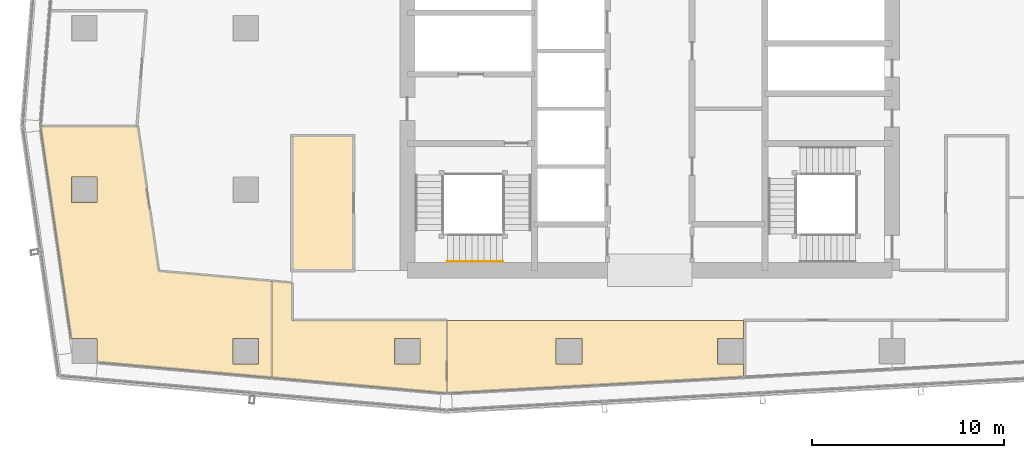
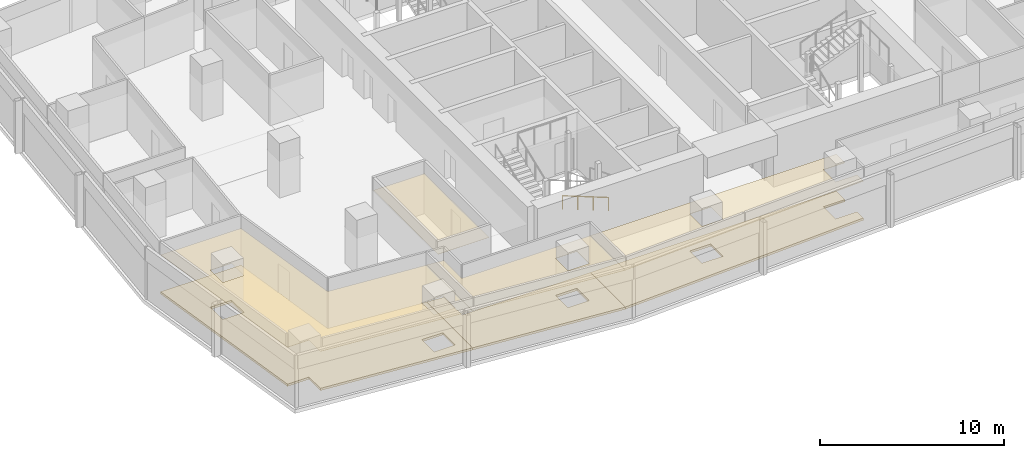
# One storey, part 26 of 29: 7 coverings, 1 railing.
"""IFC4 building model written with IfcOpenShell, lengths in metres."""

from ifc_helpers import new_model, si_unit, direction, frame, origin, origin_2d, place, context, subcontext, project, spatial, polyline, circle, outline, extrude, material, layer, layer_set, type_object, element, save


model = new_model("IFC4")

# Units and contexts
model_context = context("Model", 3, precision=1e-05, world=origin(), true_north=direction((0.0, 1.0)))
body_context = subcontext(model_context, "Body", "Model", "MODEL_VIEW")
ifc_project = project(units=[si_unit("LENGTHUNIT", "METRE"), si_unit("AREAUNIT", "SQUARE_METRE"), si_unit("VOLUMEUNIT", "CUBIC_METRE"), si_unit("PLANEANGLEUNIT", "RADIAN"), si_unit("MASSUNIT", "GRAM", prefix="KILO")], contexts=[model_context])

# Site, building, storey
site_placement = place(None, origin())
site = spatial("IfcSite", under=ifc_project, at=site_placement, CompositionType="ELEMENT")
building_placement = place(site_placement, origin())
building = spatial("IfcBuilding", under=site, at=building_placement, Name="Rekha Terrace Tower", CompositionType="ELEMENT")
storey_placement = place(building_placement, frame((0.0, 0.0, 257.60009765625)))
storey = spatial("IfcBuildingStorey", under=building, at=storey_placement, Name="L65", CompositionType="ELEMENT", Elevation=257.60009765625)

# Coverings
ifc_material_1 = material(Name="Mineral fibre tile in exposed grid", Category="finish")
ifc_layer_1 = layer(ifc_material_1, 0.02001953125)
ifc_layer_set_1 = layer_set([ifc_layer_1], Name="Mineral fibre tile in exposed grid")
covering_type_1 = type_object("IfcCoveringType", Name="CL1 600x1200 office grid ceiling", PredefinedType="CEILING", material=ifc_layer_set_1)
covering_1_placement = place(storey_placement, frame((0.0, 0.0, 2.579833984375)))
element("IfcCovering", 1, at=covering_1_placement, inside=storey, type_object=covering_type_1, Name="Ceiling L65-15", PredefinedType="CEILING", context=body_context, shape_type="SweptSolid", body=[
    extrude(outline(polyline([(6.12109375, 28.490966796875), (7.715087890625, 17.465087890625), (9.06494140625, 17.465087890625), (9.06494140625, 16.22705078125), (18.14892578125, 15.4189453125), (18.14892578125, 20.43896484375), (12.260986328125, 20.9619140625), (11.173095703125, 28.490966796875), (6.12109375, 28.490966796875)]), holes=[polyline([(17.465087890625, 17.465087890625), (17.465087890625, 16.135009765625), (16.135009765625, 16.135009765625), (16.135009765625, 17.465087890625), (17.465087890625, 17.465087890625)]), polyline([(9.06494140625, 25.864990234375), (9.06494140625, 24.534912109375), (7.735107421875, 24.534912109375), (7.735107421875, 25.864990234375), (9.06494140625, 25.864990234375)])]), origin(), (0.0, 0.0, 1.0), 0.02001953125),
])
covering_2_placement = place(storey_placement, frame((0.0, 0.0, 2.579833984375)))
element("IfcCovering", 2, at=covering_2_placement, inside=storey, type_object=covering_type_1, Name="Ceiling L65-16", PredefinedType="CEILING", context=body_context, shape_type="SweptSolid", body=[
    extrude(outline(polyline([(27.25390625, 14.610107421875), (27.25390625, 18.39990234375), (19.199951171875, 18.39990234375), (19.199951171875, 20.345947265625), (18.14990234375, 20.43896484375), (18.14990234375, 15.4189453125), (27.25390625, 14.610107421875)]), holes=[polyline([(25.864990234375, 17.465087890625), (25.864990234375, 16.135009765625), (24.534912109375, 16.135009765625), (24.534912109375, 17.465087890625), (25.864990234375, 17.465087890625)])]), origin(), (0.0, 0.0, 1.0), 0.02001953125),
])
covering_3_placement = place(storey_placement, frame((0.0, 0.0, 2.579833984375)))
element("IfcCovering", 3, at=covering_3_placement, inside=storey, type_object=covering_type_1, Name="Ceiling L65-O3", PredefinedType="CEILING", context=body_context, shape_type="SweptSolid", body=[
    extrude(outline(polyline([(27.25390625, 18.39990234375), (27.25390625, 14.614990234375), (42.673095703125, 15.4541015625), (42.673095703125, 16.135009765625), (41.3349609375, 16.135009765625), (41.3349609375, 17.465087890625), (42.673095703125, 17.465087890625), (42.673095703125, 18.39990234375), (27.25390625, 18.39990234375)]), holes=[polyline([(34.264892578125, 16.135009765625), (32.93505859375, 16.135009765625), (32.93505859375, 17.465087890625), (34.264892578125, 17.465087890625), (34.264892578125, 16.135009765625)])]), origin(), (0.0, 0.0, 1.0), 0.02001953125),
])
ifc_material_2 = material(Name="Fibre cement board", Category="finish")
ifc_layer_2 = layer(ifc_material_2, 0.014892578125)
ifc_layer_set_2 = layer_set([ifc_layer_2], Name="Fibre cement board")
covering_type_2 = type_object("IfcCoveringType", Name="CL2 moisture-resistant board ceiling", PredefinedType="CEILING", material=ifc_layer_set_2)
covering_4_placement = place(storey_placement, frame((0.0, 0.0, 2.5849609375)))
element("IfcCovering", 4, at=covering_4_placement, inside=storey, type_object=covering_type_2, Name="Ceiling L65-WCM", PredefinedType="CEILING", context=body_context, shape_type="SweptSolid", body=[
    extrude(outline(polyline([(22.39990234375, 28.0), (19.199951171875, 28.0), (19.199951171875, 21.0), (22.39990234375, 21.0), (22.39990234375, 28.0)])), origin(), (0.0, 0.0, 1.0), 0.014892578125),
])

# Railing
ifc_material_3 = material(Name="Stainless steel tube", Category="steel")
railing_type = type_object("IfcRailingType", Name="HR1 900 stair handrail", PredefinedType="HANDRAIL", material=ifc_material_3)
railing_placement = place(storey_placement, frame((30.14990234375, 21.4599609375, 1.375)))
element("IfcRailing", 5, at=railing_placement, inside=storey, type_object=railing_type, Name="Handrail ST1 L65 flight 2", PredefinedType="HANDRAIL", context=body_context, shape_type="SweptSolid", body=[
    extrude(circle(Radius=0.02392578125, at=origin_2d()), frame((0.0, 0.0, 0.8759765625), z_axis=(-0.931452331594, 0.0, 0.363863372667), x_axis=(0.0, -1.0, 0.0)), (0.0, 0.0, 1.0), 3.091796875),
    extrude(circle(Radius=0.02099609375, at=origin_2d()), origin(), (0.0, 0.0, 1.0), 0.851806640625),
    extrude(circle(Radius=0.02099609375, at=origin_2d()), frame((-0.9599609375, 0.0, 0.375)), (0.0, 0.0, 1.0), 0.851806640625),
    extrude(circle(Radius=0.02099609375, at=origin_2d()), frame((-1.919921875, 0.0, 0.75)), (0.0, 0.0, 1.0), 0.851806640625),
    extrude(circle(Radius=0.02099609375, at=origin_2d()), frame((-2.8798828125, 0.0, 1.125)), (0.0, 0.0, 1.0), 0.851806640625),
])

# Coverings
ifc_material_4 = material(Name="Calcium sulphate panels on steel pedestals", Category="steel")
ifc_layer_3 = layer(ifc_material_4, 0.14990234375)
ifc_layer_set_3 = layer_set([ifc_layer_3], Name="Calcium sulphate panels on steel pedestals")
covering_type_3 = type_object("IfcCoveringType", Name="RF1 150 raised access floor", PredefinedType="FLOORING", material=ifc_layer_set_3)
covering_5_placement = place(storey_placement, origin())
element("IfcCovering", 6, at=covering_5_placement, inside=storey, type_object=covering_type_3, Name="Raised floor L65-15", PredefinedType="FLOORING", context=body_context, shape_type="SweptSolid", body=[
    extrude(outline(polyline([(6.12109375, 28.490966796875), (7.715087890625, 17.465087890625), (9.06494140625, 17.465087890625), (9.06494140625, 16.22705078125), (18.14892578125, 15.4189453125), (18.14892578125, 20.43896484375), (12.260986328125, 20.9619140625), (11.173095703125, 28.490966796875), (6.12109375, 28.490966796875)]), holes=[polyline([(17.465087890625, 17.465087890625), (17.465087890625, 16.135009765625), (16.135009765625, 16.135009765625), (16.135009765625, 17.465087890625), (17.465087890625, 17.465087890625)]), polyline([(9.06494140625, 25.864990234375), (9.06494140625, 24.534912109375), (7.735107421875, 24.534912109375), (7.735107421875, 25.864990234375), (9.06494140625, 25.864990234375)])]), origin(), (0.0, 0.0, 1.0), 0.14990234375),
])
covering_6_placement = place(storey_placement, origin())
element("IfcCovering", 7, at=covering_6_placement, inside=storey, type_object=covering_type_3, Name="Raised floor L65-16", PredefinedType="FLOORING", context=body_context, shape_type="SweptSolid", body=[
    extrude(outline(polyline([(27.25390625, 14.610107421875), (27.25390625, 18.39990234375), (19.199951171875, 18.39990234375), (19.199951171875, 20.345947265625), (18.14990234375, 20.43896484375), (18.14990234375, 15.4189453125), (27.25390625, 14.610107421875)]), holes=[polyline([(25.864990234375, 17.465087890625), (25.864990234375, 16.135009765625), (24.534912109375, 16.135009765625), (24.534912109375, 17.465087890625), (25.864990234375, 17.465087890625)])]), origin(), (0.0, 0.0, 1.0), 0.14990234375),
])
covering_7_placement = place(storey_placement, origin())
element("IfcCovering", 8, at=covering_7_placement, inside=storey, type_object=covering_type_3, Name="Raised floor L65-O3", PredefinedType="FLOORING", context=body_context, shape_type="SweptSolid", body=[
    extrude(outline(polyline([(27.25390625, 18.39990234375), (27.25390625, 14.614990234375), (42.673095703125, 15.4541015625), (42.673095703125, 16.135009765625), (41.3349609375, 16.135009765625), (41.3349609375, 17.465087890625), (42.673095703125, 17.465087890625), (42.673095703125, 18.39990234375), (27.25390625, 18.39990234375)]), holes=[polyline([(34.264892578125, 16.135009765625), (32.93505859375, 16.135009765625), (32.93505859375, 17.465087890625), (34.264892578125, 17.465087890625), (34.264892578125, 16.135009765625)])]), origin(), (0.0, 0.0, 1.0), 0.14990234375),
])

save(model, "model.ifc")
